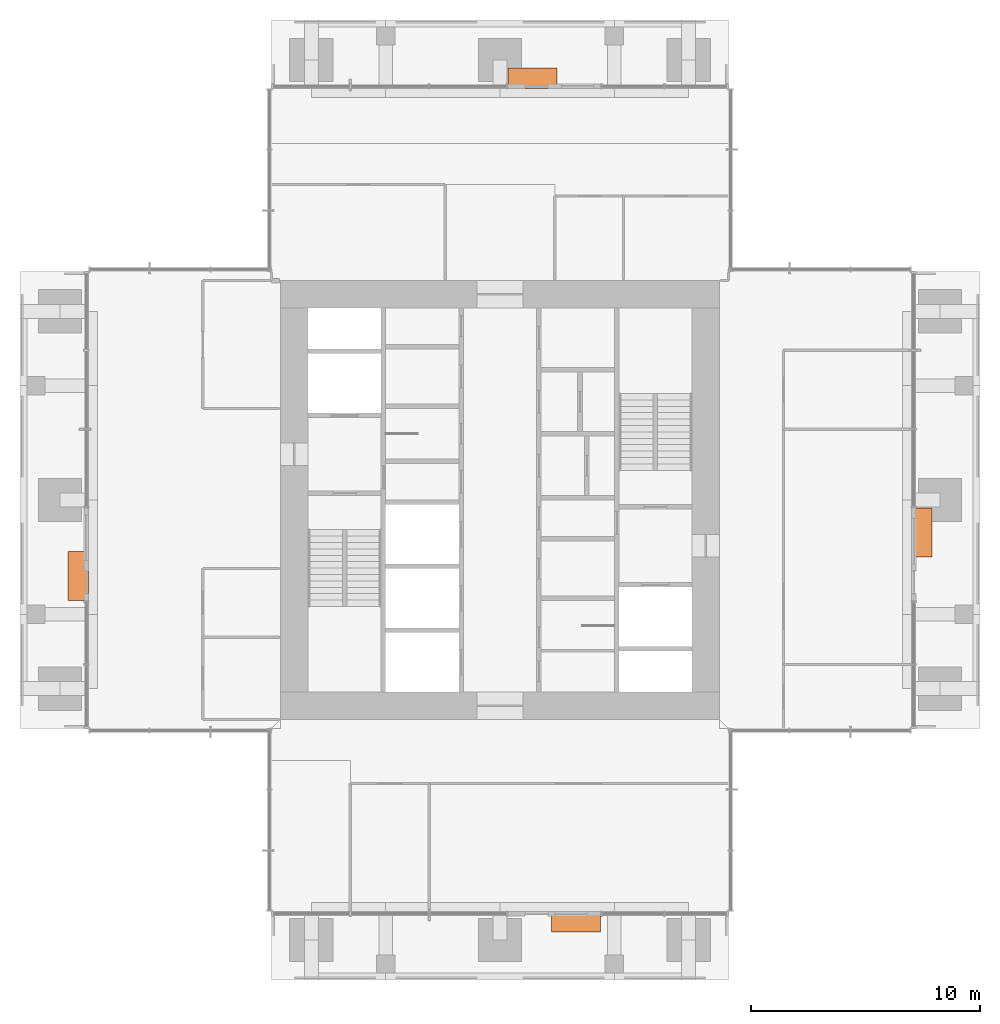
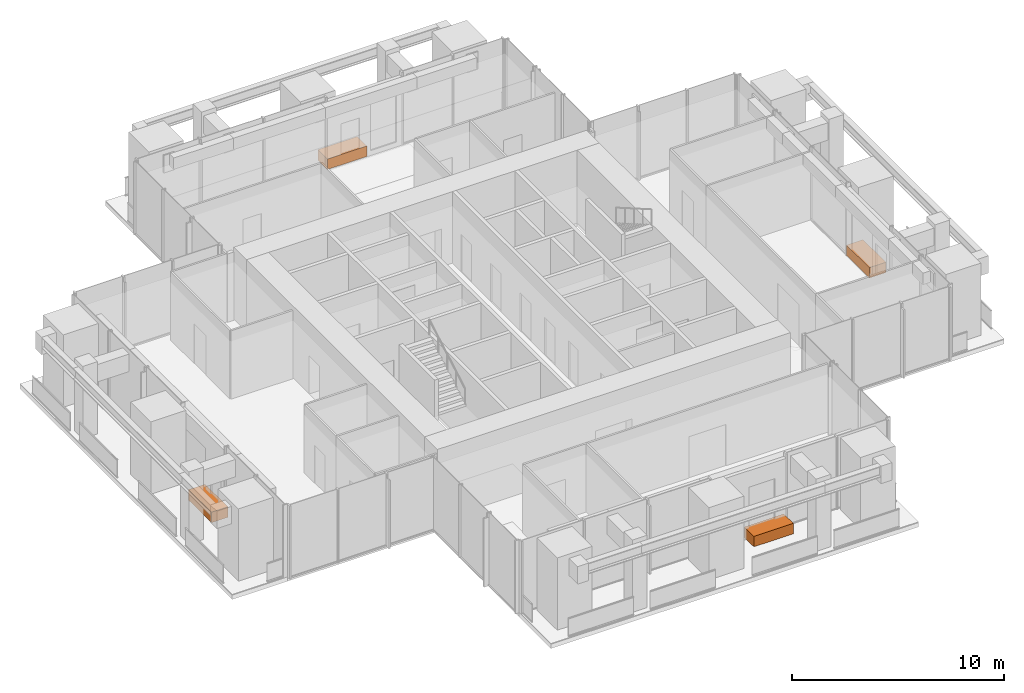
# One storey, part 12 of 12: 4 proxies.
"""IFC4 building model written with IfcOpenShell, lengths in metres."""

from ifc_helpers import new_model, si_unit, direction, frame, origin, origin_2d, place, context, subcontext, project, spatial, rectangle, extrude, element, save


model = new_model("IFC4")

# Units and contexts
model_context = context("Model", 3, precision=1e-05, world=origin(), true_north=direction((0.0, 1.0)))
body_context = subcontext(model_context, "Body", "Model", "MODEL_VIEW")
ifc_project = project(units=[si_unit("LENGTHUNIT", "METRE"), si_unit("AREAUNIT", "SQUARE_METRE"), si_unit("VOLUMEUNIT", "CUBIC_METRE"), si_unit("PLANEANGLEUNIT", "RADIAN"), si_unit("MASSUNIT", "GRAM", prefix="KILO")], contexts=[model_context])

# Site, building, storey
site_placement = place(None, origin())
site = spatial("IfcSite", under=ifc_project, at=site_placement, CompositionType="ELEMENT")
building_placement = place(site_placement, origin())
building = spatial("IfcBuilding", under=site, at=building_placement, Name="Svetlomir Tower", CompositionType="ELEMENT")
storey_placement = place(building_placement, frame((0.0, 0.0, 260.800048828125)))
storey = spatial("IfcBuildingStorey", under=building, at=storey_placement, Name="L62", CompositionType="ELEMENT", Elevation=260.800048828125)

# Proxies
proxy_1_placement = place(storey_placement, frame((24.324951171875, 2.550048828125, 0.039794921875), z_axis=(0.0, 0.0, 1.0), x_axis=(1.0, 0.0, 0.0)))
element("IfcBuildingElementProxy", 1, at=proxy_1_placement, inside=storey, Name="Tree planter S L62", ObjectType="PLANTER", PredefinedType="USERDEFINED", context=body_context, shape_type="SweptSolid", body=[
    extrude(rectangle(XDim=2.14990234375, YDim=0.89990234375, at=origin_2d()), origin(), (0.0, 0.0, 1.0), 0.60009765625),
])
proxy_2_placement = place(storey_placement, frame((39.449951171875, 19.574951171875, 0.039794921875), z_axis=(0.0, 0.0, 1.0), x_axis=(1.0, 0.0, 0.0)))
element("IfcBuildingElementProxy", 2, at=proxy_2_placement, inside=storey, Name="Tree planter E L62", ObjectType="PLANTER", PredefinedType="USERDEFINED", context=body_context, shape_type="SweptSolid", body=[
    extrude(rectangle(XDim=0.89990234375, YDim=2.14990234375, at=origin_2d()), origin(), (0.0, 0.0, 1.0), 0.60009765625),
])
proxy_3_placement = place(storey_placement, frame((22.425048828125, 39.449951171875, 0.039794921875), z_axis=(0.0, 0.0, 1.0), x_axis=(1.0, 0.0, 0.0)))
element("IfcBuildingElementProxy", 3, at=proxy_3_placement, inside=storey, Name="Tree planter N L62", ObjectType="PLANTER", PredefinedType="USERDEFINED", context=body_context, shape_type="SweptSolid", body=[
    extrude(rectangle(XDim=2.14990234375, YDim=0.89990234375, at=origin_2d()), origin(), (0.0, 0.0, 1.0), 0.60009765625),
])
proxy_4_placement = place(storey_placement, frame((2.550048828125, 17.675048828125, 0.039794921875), z_axis=(0.0, 0.0, 1.0), x_axis=(1.0, 0.0, 0.0)))
element("IfcBuildingElementProxy", 4, at=proxy_4_placement, inside=storey, Name="Tree planter W L62", ObjectType="PLANTER", PredefinedType="USERDEFINED", context=body_context, shape_type="SweptSolid", body=[
    extrude(rectangle(XDim=0.89990234375, YDim=2.14990234375, at=origin_2d()), origin(), (0.0, 0.0, 1.0), 0.60009765625),
])

save(model, "model.ifc")
